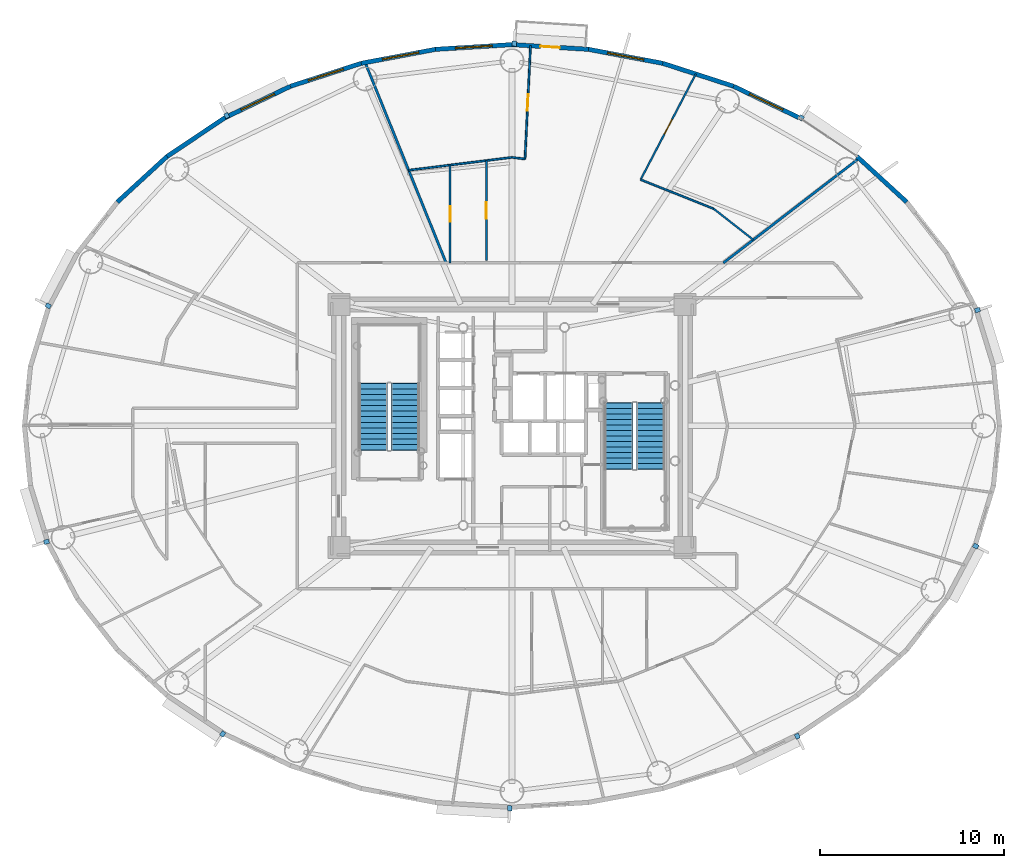
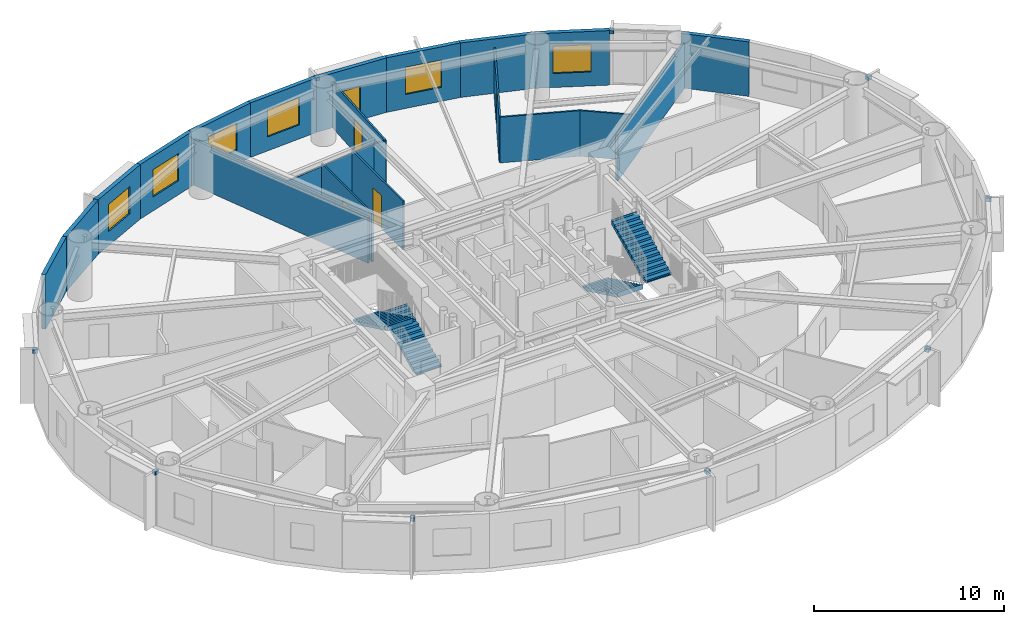
# One storey, part 11 of 18: 21 walls, 10 discrete accessories, 6 windows, 5 doors, 4 stair flights, 11 openings, 2 elements without a shape of their own.
"""IFC4 building model written with IfcOpenShell, lengths in metres."""

import ifcopenshell
import ifcopenshell.guid

model = None  # the IFC model being written
_history = None  # IfcOwnerHistory: only IFC2X3 demands one
_inside = {}  # id of a spatial element -> (the spatial element, [elements in it])
_under = {}  # id of a project, library or spatial element -> (it, [spatial elements below it])
_declared = {}  # id of a project -> (the project, [libraries it declares])
_typed = {}  # id of a type object -> (the type object, [elements of that type])
_made_of = {}  # id of a material, layer set ... -> (it, [elements and type objects made of it])


def new_model(schema):
    """Start an empty IFC model of exactly this schema.

    Asked for "IFC4X3", IfcOpenShell would pick the latest addendum, in which some entities
    have other attributes; the version numbers below select the first issue.
    IFC2X3 requires an IfcOwnerHistory on every rooted entity: one is made here for all.
    """
    global model, _history
    if schema == "IFC4X3":
        model = ifcopenshell.file(schema_version=(4, 3, 0, 0))
    else:
        model = ifcopenshell.file(schema=schema)
    _inside.clear()
    _under.clear()
    _declared.clear()
    _typed.clear()
    _made_of.clear()
    _history = None
    if model.schema == "IFC2X3":
        org = make("IfcOrganization", Name="unknown")
        user = make(
            "IfcPersonAndOrganization",
            ThePerson=make("IfcPerson", FamilyName="unknown"),
            TheOrganization=org,
        )
        app = make(
            "IfcApplication",
            ApplicationDeveloper=org,
            Version="unknown",
            ApplicationFullName="unknown",
            ApplicationIdentifier="unknown",
        )
        _history = make(
            "IfcOwnerHistory",
            OwningUser=user,
            OwningApplication=app,
            ChangeAction="ADDED",
            CreationDate=0,
        )
    return model


def make(cls, **values):
    """One entity of the class cls with the attributes given. An attribute that is None is left unset."""
    return model.create_entity(
        cls, **{name: value for name, value in values.items() if value is not None}
    )


def rooted(cls, **values):
    """An entity with a GlobalId (a new one), such as an element, a storey or a relation."""
    return make(cls, GlobalId=ifcopenshell.guid.new(), OwnerHistory=_history, **values)


def si_unit(unit_type, name, prefix=None):
    """IfcSIUnit, for example si_unit("LENGTHUNIT", "METRE", prefix="MILLI")."""
    return make("IfcSIUnit", UnitType=unit_type, Prefix=prefix, Name=name)


def assignment(units):
    """IfcUnitAssignment: the units of a project."""
    return None if units is None else make("IfcUnitAssignment", Units=units)


def point(xyz):
    """IfcCartesianPoint."""
    return None if xyz is None else make("IfcCartesianPoint", Coordinates=xyz)


def direction(xyz):
    """IfcDirection."""
    return None if xyz is None else make("IfcDirection", DirectionRatios=xyz)


def frame(location, z_axis=None, x_axis=None):
    """IfcAxis2Placement3D, a coordinate frame: its origin and axes. An axis left out is left unset."""
    return make(
        "IfcAxis2Placement3D",
        Location=point(location),
        Axis=direction(z_axis),
        RefDirection=direction(x_axis),
    )


def frame_2d(location, x_axis=None):
    """IfcAxis2Placement2D, a coordinate frame in the plane: its origin and x axis."""
    return make(
        "IfcAxis2Placement2D", Location=point(location), RefDirection=direction(x_axis)
    )


def origin():
    """The frame at (0, 0, 0) with its axes left unset."""
    return frame((0.0, 0.0, 0.0))


def origin_2d():
    """The frame at (0, 0) in the plane with its x axis left unset."""
    return frame_2d((0.0, 0.0))


def place(relative_to, where):
    """IfcLocalPlacement: puts the frame where relative to a parent placement (None: the world)."""
    return make(
        "IfcLocalPlacement", PlacementRelTo=relative_to, RelativePlacement=where
    )


def context(
    kind, dimensions, precision=None, world=None, true_north=None, identifier=None
):
    """IfcGeometricRepresentationContext, for example the 3D "Model" context."""
    return make(
        "IfcGeometricRepresentationContext",
        ContextIdentifier=identifier,
        ContextType=kind,
        CoordinateSpaceDimension=dimensions,
        Precision=precision,
        WorldCoordinateSystem=world,
        TrueNorth=true_north,
    )


def subcontext(parent, identifier, kind, view, scale=None):
    """IfcGeometricRepresentationSubContext, for example "Body" below "Model"."""
    return make(
        "IfcGeometricRepresentationSubContext",
        ContextIdentifier=identifier,
        ContextType=kind,
        ParentContext=parent,
        TargetScale=scale,
        TargetView=view,
    )


def project(units=None, contexts=None):
    """IfcProject with its units and contexts."""
    return rooted(
        "IfcProject",
        Name="project",
        RepresentationContexts=contexts,
        UnitsInContext=assignment(units),
    )


def spatial(cls, under=None, at=None, **own):
    """A site, building, storey or space (cls), placed at a placement, below another one or the project."""
    s = rooted(cls, ObjectPlacement=at, **own)
    if under is not None:
        _under.setdefault(under.id(), (under, []))[1].append(s)
    return s


def polyline(points):
    """IfcPolyline through the points."""
    return make("IfcPolyline", Points=[point(p) for p in points])


def profile(cls, at=None, kind="AREA", **sizes):
    """A parametric profile (cls). Its sizes go by their IFC names, for example OverallWidth=200.0."""
    return make(cls, ProfileType=kind, Position=at, **sizes)


def rectangle(**sizes):
    """IfcRectangleProfileDef."""
    return profile("IfcRectangleProfileDef", **sizes)


def outline(outer, holes=None, kind="AREA"):
    """IfcArbitraryClosedProfileDef: a profile drawn as a closed curve; with holes, ...WithVoids."""
    if holes is None:
        return make("IfcArbitraryClosedProfileDef", ProfileType=kind, OuterCurve=outer)
    return make(
        "IfcArbitraryProfileDefWithVoids",
        ProfileType=kind,
        OuterCurve=outer,
        InnerCurves=holes,
    )


def extrude(swept, where, along, depth):
    """IfcExtrudedAreaSolid: the profile swept, set in the frame where, extruded along a direction by depth."""
    return make(
        "IfcExtrudedAreaSolid",
        SweptArea=swept,
        Position=where,
        ExtrudedDirection=direction(along),
        Depth=depth,
    )


def shape(context_of_items, identifier, shape_type, items):
    """IfcShapeRepresentation: the items that make up one representation, for example the "Body"."""
    return make(
        "IfcShapeRepresentation",
        ContextOfItems=context_of_items,
        RepresentationIdentifier=identifier,
        RepresentationType=shape_type,
        Items=items,
    )


def source(mapping_origin, context_of_items, identifier, shape_type, items):
    """IfcRepresentationMap: a shape defined once, which mapped items show again and again."""
    return make(
        "IfcRepresentationMap",
        MappingOrigin=mapping_origin,
        MappedRepresentation=shape(context_of_items, identifier, shape_type, items),
    )


def transform(
    local_origin,
    x_axis=None,
    y_axis=None,
    z_axis=None,
    scale=None,
    scale2=None,
    scale3=None,
    uniform=True,
):
    """IfcCartesianTransformationOperator3D, or its non-uniform kind. x_axis, y_axis, z_axis: its Axis1, 2, 3."""
    if uniform:
        return make(
            "IfcCartesianTransformationOperator3D",
            Axis1=direction(x_axis),
            Axis2=direction(y_axis),
            LocalOrigin=point(local_origin),
            Scale=scale,
            Axis3=direction(z_axis),
        )
    return make(
        "IfcCartesianTransformationOperator3DnonUniform",
        Axis1=direction(x_axis),
        Axis2=direction(y_axis),
        LocalOrigin=point(local_origin),
        Scale=scale,
        Axis3=direction(z_axis),
        Scale2=scale2,
        Scale3=scale3,
    )


def mapped(mapping_source, mapping_target):
    """IfcMappedItem: shows the shape of a source again, moved by a transform."""
    return make(
        "IfcMappedItem", MappingSource=mapping_source, MappingTarget=mapping_target
    )


def material(Name=None, Category=None):
    """IfcMaterial."""
    return make("IfcMaterial", Name=Name, Category=Category)


def layer(
    of_material, thickness, ventilated=None, Name=None, Category=None, Priority=None
):
    """IfcMaterialLayer: one layer of a wall or slab, of a material (None: an air gap)."""
    return make(
        "IfcMaterialLayer",
        Material=of_material,
        LayerThickness=thickness,
        IsVentilated=ventilated,
        Name=Name,
        Category=Category,
        Priority=Priority,
    )


def layer_set(layers, Name=None):
    """IfcMaterialLayerSet."""
    return make("IfcMaterialLayerSet", MaterialLayers=layers, LayerSetName=Name)


def made_of(thing, what):
    """Note that an element or type object is made of a material, layer set ...; save() writes the relation."""
    if what is not None:
        _made_of.setdefault(what.id(), (what, []))[1].append(thing)
    return thing


def type_object(cls, material=None, **own):
    """A type object (cls), such as IfcWallType, which elements share."""
    return made_of(rooted(cls, **own), material)


def element(
    cls,
    number,
    at=None,
    inside=None,
    cuts=None,
    type_object=None,
    material=None,
    context=None,
    identifier="Body",
    shape_type=None,
    held_by="IfcProductDefinitionShape",
    body=None,
    shapes=None,
    **own,
):
    """One element of the class cls, such as IfcWall. Its Tag is "e" and its number.

    at: its placement. inside: the storey or other place that contains it. cuts: it is an
    opening in that element (IfcRelVoidsElement). A single representation is given by context,
    identifier, shape_type and body (its items); several are given by shapes. held_by: the class
    of the entity that holds the representations. save() writes the other relations.
    """
    e = rooted(cls, Tag="e%d" % number, ObjectPlacement=at, **own)
    if body is not None:
        shapes = [shape(context, identifier, shape_type, body)]
    if shapes is not None:
        e.Representation = make(held_by, Representations=shapes)
    if inside is not None:
        _inside.setdefault(inside.id(), (inside, []))[1].append(e)
    if cuts is not None:
        rooted(
            "IfcRelVoidsElement", RelatingBuildingElement=cuts, RelatedOpeningElement=e
        )
    if type_object is not None:
        _typed.setdefault(type_object.id(), (type_object, []))[1].append(e)
    return made_of(e, material)


def fill(opening, filler):
    """IfcRelFillsElement: the door or window that sits in an opening."""
    return rooted(
        "IfcRelFillsElement",
        RelatingOpeningElement=opening,
        RelatedBuildingElement=filler,
    )


def aggregate(whole, parts):
    """IfcRelAggregates: a whole, such as a stair, and the parts it consists of."""
    return rooted("IfcRelAggregates", RelatingObject=whole, RelatedObjects=parts)


def save(model, path):
    """Write the relations noted so far, then the file.

    IfcRelAggregates (storeys below a building ...), IfcRelContainedInSpatialStructure (elements
    in a storey), IfcRelDefinesByType, IfcRelAssociatesMaterial and IfcRelDeclares: one each for
    every whole, place, type object, material and project.
    """
    for whole, parts in _under.values():
        aggregate(whole, parts)
    for where, things in _inside.values():
        rooted(
            "IfcRelContainedInSpatialStructure",
            RelatedElements=things,
            RelatingStructure=where,
        )
    for kind, things in _typed.values():
        rooted("IfcRelDefinesByType", RelatedObjects=things, RelatingType=kind)
    for what, things in _made_of.values():
        rooted("IfcRelAssociatesMaterial", RelatedObjects=things, RelatingMaterial=what)
    for by, libraries in _declared.values():
        rooted("IfcRelDeclares", RelatingContext=by, RelatedDefinitions=libraries)
    model.write(path)


model = new_model("IFC4")

# Units and contexts
model_context = context("Model", 3, precision=1e-05, world=origin(), true_north=direction((0.0, 1.0)))
body_context = subcontext(model_context, "Body", "Model", "MODEL_VIEW")
ifc_project = project(units=[si_unit("LENGTHUNIT", "METRE"), si_unit("AREAUNIT", "SQUARE_METRE"), si_unit("VOLUMEUNIT", "CUBIC_METRE"), si_unit("PLANEANGLEUNIT", "RADIAN"), si_unit("MASSUNIT", "GRAM", prefix="KILO")], contexts=[model_context])

# Site, building, storey
site_placement = place(None, origin())
site = spatial("IfcSite", under=ifc_project, at=site_placement, CompositionType="ELEMENT")
building_placement = place(site_placement, origin())
building = spatial("IfcBuilding", under=site, at=building_placement, Name="Linh Dai School and Residence Tower", CompositionType="ELEMENT")
storey_placement = place(building_placement, frame((0.0, 0.0, 186.14990234375)))
storey = spatial("IfcBuildingStorey", under=building, at=storey_placement, Name="L45", CompositionType="ELEMENT", Elevation=186.14990234375)

# Wall
ifc_material_1 = material(Name="Precast Concrete B45 (C35/45)", Category="concrete")
ifc_layer_1 = layer(ifc_material_1, 0.239990234375)
ifc_layer_set_1 = layer_set([ifc_layer_1], Name="Precast Concrete B45 (C35/45)")
wall_type_1 = type_object("IfcWallType", Name="EW-TC-240", PredefinedType="SOLIDWALL", material=ifc_layer_set_1)
wall_1_placement = place(storey_placement, frame((54.73193359375, 41.630615234375, 0.0), z_axis=(0.0, 0.0, 1.0), x_axis=(0.737076565834, -0.675809245349, 0.0)))
element("IfcWall", 1, at=wall_1_placement, inside=storey, type_object=wall_type_1, Name="L45 Terracotta Exterior Wall 05", PredefinedType="SOLIDWALL", context=body_context, shape_type="SweptSolid", body=[
    extrude(rectangle(XDim=3.658203125, YDim=0.239990234375, at=frame_2d((1.8291015625, 0.0))), origin(), (0.0, 0.0, 1.0), 3.5),
])

# Wall, opening, window
wall_2_placement = place(storey_placement, frame((48.02978515625, 45.443603515625, 0.0), z_axis=(0.0, 0.0, 1.0), x_axis=(0.901564733809, -0.432644231155, 0.0)))
wall_2 = element("IfcWall", 2, at=wall_2_placement, inside=storey, type_object=wall_type_1, Name="L45 Terracotta Exterior Wall 07", PredefinedType="SOLIDWALL", context=body_context, shape_type="SweptSolid", body=[
    extrude(rectangle(XDim=3.930419921875, YDim=0.239990234375, at=frame_2d((1.96533203125, 0.0))), origin(), (0.0, 0.0, 1.0), 3.5),
])
opening_1_placement = place(wall_2_placement, frame((0.965087890625, 0.0, 0.89990234375)))
opening_1 = element("IfcOpeningElement", 3, at=opening_1_placement, cuts=wall_2, Name="Opening W1", PredefinedType="OPENING", context=body_context, shape_type="SweptSolid", body=[
    extrude(rectangle(XDim=2.0, YDim=1.75, at=origin_2d()), frame((1.0, 0.1298828125, 0.875), z_axis=(0.0, -1.0, 0.0), x_axis=(1.0, 0.0, 0.0)), (0.0, 0.0, 1.0), 0.260009765625),
])
ifc_material_2 = material(Name="Double Low-E Insulated Glazing", Category="glass")
window_type = type_object("IfcWindowType", Name="WN-RES-2000x1750", PartitioningType="DOUBLE_PANEL_VERTICAL", PredefinedType="WINDOW", material=ifc_material_2)
shared_shape_1 = source(origin(), body_context, "Body", "SweptSolid", [
    extrude(rectangle(XDim=2.0, YDim=1.75, at=origin_2d()), frame((1.0, 0.030029296875, 0.875), z_axis=(0.0, -1.0, 0.0), x_axis=(1.0, 0.0, 0.0)), (0.0, 0.0, 1.0), 0.06005859375),
])
window_1_placement = place(opening_1_placement, origin())
window_1 = element("IfcWindow", 4, at=window_1_placement, inside=storey, type_object=window_type, Name="L45 Exterior Window 07.1", OverallHeight=1.75, OverallWidth=2.0, PartitioningType="DOUBLE_PANEL_VERTICAL", PredefinedType="WINDOW", context=body_context, shape_type="MappedRepresentation", body=[
    mapped(shared_shape_1, transform((0.0, 0.0, 0.0), x_axis=(1.0, 0.0, 0.0), y_axis=(0.0, 1.0, 0.0), z_axis=(0.0, 0.0, 1.0), scale=1.0)),
])
fill(opening_1, window_1)

# Wall
wall_3_placement = place(storey_placement, frame((44.18896484375, 46.689453125, 0.0), z_axis=(0.0, 0.0, 1.0), x_axis=(0.951209870236, -0.30854462038, 0.0)))
element("IfcWall", 5, at=wall_3_placement, inside=storey, type_object=wall_type_1, Name="L45 Terracotta Exterior Wall 08", PredefinedType="SOLIDWALL", context=body_context, shape_type="SweptSolid", body=[
    extrude(rectangle(XDim=4.037841796875, YDim=0.239990234375, at=frame_2d((2.01904296875, 0.0))), origin(), (0.0, 0.0, 1.0), 3.5),
])

# Wall, opening, window
wall_4_placement = place(storey_placement, frame((40.145751953125, 47.449462890625, 0.0), z_axis=(0.0, 0.0, 1.0), x_axis=(0.982788108205, -0.184736391573, 0.0)))
wall_4 = element("IfcWall", 6, at=wall_4_placement, inside=storey, type_object=wall_type_1, Name="L45 Terracotta Exterior Wall 09", PredefinedType="SOLIDWALL", context=body_context, shape_type="SweptSolid", body=[
    extrude(rectangle(XDim=4.114013671875, YDim=0.239990234375, at=frame_2d((2.05712890625, 0.0))), origin(), (0.0, 0.0, 1.0), 3.5),
])
opening_2_placement = place(wall_4_placement, frame((1.056884765625, 0.0, 0.89990234375)))
opening_2 = element("IfcOpeningElement", 7, at=opening_2_placement, cuts=wall_4, Name="Opening W1", PredefinedType="OPENING", context=body_context, shape_type="SweptSolid", body=[
    extrude(rectangle(XDim=2.0, YDim=1.75, at=origin_2d()), frame((1.0, 0.1298828125, 0.875), z_axis=(0.0, -1.0, 0.0), x_axis=(1.0, 0.0, 0.0)), (0.0, 0.0, 1.0), 0.260009765625),
])
window_2_placement = place(opening_2_placement, origin())
window_2 = element("IfcWindow", 8, at=window_2_placement, inside=storey, type_object=window_type, Name="L45 Exterior Window 09.1", OverallHeight=1.75, OverallWidth=2.0, PartitioningType="DOUBLE_PANEL_VERTICAL", PredefinedType="WINDOW", context=body_context, shape_type="MappedRepresentation", body=[
    mapped(shared_shape_1, transform((0.0, 0.0, 0.0), x_axis=(1.0, 0.0, 0.0), y_axis=(0.0, 1.0, 0.0), z_axis=(0.0, 0.0, 1.0), scale=1.0)),
])
fill(opening_2, window_2)

# Wall, opening, door
wall_5_placement = place(storey_placement, frame((36.0, 47.705078125, 0.0), z_axis=(0.0, 0.0, 1.0), x_axis=(0.998104600619, -0.061540281305, 0.0)))
wall_5 = element("IfcWall", 9, at=wall_5_placement, inside=storey, type_object=wall_type_1, Name="L45 Terracotta Exterior Wall 10", PredefinedType="SOLIDWALL", context=body_context, shape_type="SweptSolid", body=[
    extrude(rectangle(XDim=4.153564453125, YDim=0.239990234375, at=frame_2d((2.07666015625, 0.0))), origin(), (0.0, 0.0, 1.0), 3.5),
])
opening_3_placement = place(wall_5_placement, frame((1.5517578125, 0.0, 0.0)))
opening_3 = element("IfcOpeningElement", 10, at=opening_3_placement, cuts=wall_5, Name="Opening BD1", PredefinedType="OPENING", context=body_context, shape_type="SweptSolid", body=[
    extrude(rectangle(XDim=1.050048828125, YDim=2.14990234375, at=origin_2d()), frame((0.52490234375, 0.1298828125, 1.074951171875), z_axis=(0.0, -1.0, 0.0), x_axis=(1.0, 0.0, 0.0)), (0.0, 0.0, 1.0), 0.260009765625),
])
ifc_material_3 = material(Name="Double-Glazed Balcony Door", Category="glass")
door_type_1 = type_object("IfcDoorType", Name="DR-BALC-1050x2150", OperationType="NOTDEFINED", PredefinedType="DOOR", material=ifc_material_3)
shared_shape_2 = source(origin(), body_context, "Body", "SweptSolid", [
    extrude(rectangle(XDim=1.050048828125, YDim=2.14990234375, at=origin_2d()), frame((0.52490234375, 0.02490234375, 1.074951171875), z_axis=(0.0, -1.0, 0.0), x_axis=(1.0, 0.0, 0.0)), (0.0, 0.0, 1.0), 0.050048828125),
])
door_1_placement = place(opening_3_placement, origin())
door_1 = element("IfcDoor", 11, at=door_1_placement, inside=storey, type_object=door_type_1, Name="L45 Glazed Balcony Door 10", OperationType="SINGLE_SWING_RIGHT", OverallHeight=2.14990234375, OverallWidth=1.050048828125, PredefinedType="DOOR", context=body_context, shape_type="MappedRepresentation", body=[
    mapped(shared_shape_2, transform((0.0, 0.0, 0.0), x_axis=(1.0, 0.0, 0.0), y_axis=(0.0, 1.0, 0.0), z_axis=(0.0, 0.0, 1.0), scale=1.0)),
])
fill(opening_3, door_1)

# Wall, opening, window
wall_6_placement = place(storey_placement, frame((31.854248046875, 47.449462890625, 0.0), z_axis=(0.0, 0.0, 1.0), x_axis=(0.998104600619, 0.061540281305, 0.0)))
wall_6 = element("IfcWall", 12, at=wall_6_placement, inside=storey, type_object=wall_type_1, Name="L45 Terracotta Exterior Wall 11", PredefinedType="SOLIDWALL", context=body_context, shape_type="SweptSolid", body=[
    extrude(rectangle(XDim=4.153564453125, YDim=0.239990234375, at=frame_2d((2.07666015625, 0.0))), origin(), (0.0, 0.0, 1.0), 3.5),
])
opening_4_placement = place(wall_6_placement, frame((1.076904296875, 0.0, 0.89990234375)))
opening_4 = element("IfcOpeningElement", 13, at=opening_4_placement, cuts=wall_6, Name="Opening W1", PredefinedType="OPENING", context=body_context, shape_type="SweptSolid", body=[
    extrude(rectangle(XDim=2.0, YDim=1.75, at=origin_2d()), frame((1.0, 0.1298828125, 0.875), z_axis=(0.0, -1.0, 0.0), x_axis=(1.0, 0.0, 0.0)), (0.0, 0.0, 1.0), 0.260009765625),
])
window_3_placement = place(opening_4_placement, origin())
window_3 = element("IfcWindow", 14, at=window_3_placement, inside=storey, type_object=window_type, Name="L45 Exterior Window 11.1", OverallHeight=1.75, OverallWidth=2.0, PartitioningType="DOUBLE_PANEL_VERTICAL", PredefinedType="WINDOW", context=body_context, shape_type="MappedRepresentation", body=[
    mapped(shared_shape_1, transform((0.0, 0.0, 0.0), x_axis=(1.0, 0.0, 0.0), y_axis=(0.0, 1.0, 0.0), z_axis=(0.0, 0.0, 1.0), scale=1.0)),
])
fill(opening_4, window_3)

wall_7_placement = place(storey_placement, frame((27.81103515625, 46.689453125, 0.0), z_axis=(0.0, 0.0, 1.0), x_axis=(0.982788108205, 0.184736391573, 0.0)))
wall_7 = element("IfcWall", 15, at=wall_7_placement, inside=storey, type_object=wall_type_1, Name="L45 Terracotta Exterior Wall 12", PredefinedType="SOLIDWALL", context=body_context, shape_type="SweptSolid", body=[
    extrude(rectangle(XDim=4.114013671875, YDim=0.239990234375, at=frame_2d((2.05712890625, 0.0))), origin(), (0.0, 0.0, 1.0), 3.5),
])
opening_5_placement = place(wall_7_placement, frame((1.17626953125, 0.0, 0.89990234375)))
opening_5 = element("IfcOpeningElement", 16, at=opening_5_placement, cuts=wall_7, Name="Opening W1", PredefinedType="OPENING", context=body_context, shape_type="SweptSolid", body=[
    extrude(rectangle(XDim=2.0, YDim=1.75, at=origin_2d()), frame((1.0, 0.1298828125, 0.875), z_axis=(0.0, -1.0, 0.0), x_axis=(1.0, 0.0, 0.0)), (0.0, 0.0, 1.0), 0.260009765625),
])
window_4_placement = place(opening_5_placement, origin())
window_4 = element("IfcWindow", 17, at=window_4_placement, inside=storey, type_object=window_type, Name="L45 Exterior Window 12.1", OverallHeight=1.75, OverallWidth=2.0, PartitioningType="DOUBLE_PANEL_VERTICAL", PredefinedType="WINDOW", context=body_context, shape_type="MappedRepresentation", body=[
    mapped(shared_shape_1, transform((0.0, 0.0, 0.0), x_axis=(1.0, 0.0, 0.0), y_axis=(0.0, 1.0, 0.0), z_axis=(0.0, 0.0, 1.0), scale=1.0)),
])
fill(opening_5, window_4)

wall_8_placement = place(storey_placement, frame((23.97021484375, 45.443603515625, 0.0), z_axis=(0.0, 0.0, 1.0), x_axis=(0.951209870236, 0.30854462038, 0.0)))
wall_8 = element("IfcWall", 18, at=wall_8_placement, inside=storey, type_object=wall_type_1, Name="L45 Terracotta Exterior Wall 13", PredefinedType="SOLIDWALL", context=body_context, shape_type="SweptSolid", body=[
    extrude(rectangle(XDim=4.037841796875, YDim=0.239990234375, at=frame_2d((2.01904296875, 0.0))), origin(), (0.0, 0.0, 1.0), 3.5),
])
opening_6_placement = place(wall_8_placement, frame((1.01904296875, 0.0, 0.89990234375)))
opening_6 = element("IfcOpeningElement", 19, at=opening_6_placement, cuts=wall_8, Name="Opening W1", PredefinedType="OPENING", context=body_context, shape_type="SweptSolid", body=[
    extrude(rectangle(XDim=2.0, YDim=1.75, at=origin_2d()), frame((1.0, 0.1298828125, 0.875), z_axis=(0.0, -1.0, 0.0), x_axis=(1.0, 0.0, 0.0)), (0.0, 0.0, 1.0), 0.260009765625),
])
window_5_placement = place(opening_6_placement, origin())
window_5 = element("IfcWindow", 20, at=window_5_placement, inside=storey, type_object=window_type, Name="L45 Exterior Window 13.1", OverallHeight=1.75, OverallWidth=2.0, PartitioningType="DOUBLE_PANEL_VERTICAL", PredefinedType="WINDOW", context=body_context, shape_type="MappedRepresentation", body=[
    mapped(shared_shape_1, transform((0.0, 0.0, 0.0), x_axis=(1.0, 0.0, 0.0), y_axis=(0.0, 1.0, 0.0), z_axis=(0.0, 0.0, 1.0), scale=1.0)),
])
fill(opening_6, window_5)

wall_9_placement = place(storey_placement, frame((20.4267578125, 43.7431640625, 0.0), z_axis=(0.0, 0.0, 1.0), x_axis=(0.901564733809, 0.432644231155, 0.0)))
wall_9 = element("IfcWall", 21, at=wall_9_placement, inside=storey, type_object=wall_type_1, Name="L45 Terracotta Exterior Wall 14", PredefinedType="SOLIDWALL", context=body_context, shape_type="SweptSolid", body=[
    extrude(rectangle(XDim=3.930419921875, YDim=0.239990234375, at=frame_2d((1.96533203125, 0.0))), origin(), (0.0, 0.0, 1.0), 3.5),
])
opening_7_placement = place(wall_9_placement, frame((0.96533203125, 0.0, 0.89990234375)))
opening_7 = element("IfcOpeningElement", 22, at=opening_7_placement, cuts=wall_9, Name="Opening W1", PredefinedType="OPENING", context=body_context, shape_type="SweptSolid", body=[
    extrude(rectangle(XDim=2.0, YDim=1.75, at=origin_2d()), frame((1.0, 0.1298828125, 0.875), z_axis=(0.0, -1.0, 0.0), x_axis=(1.0, 0.0, 0.0)), (0.0, 0.0, 1.0), 0.260009765625),
])
window_6_placement = place(opening_7_placement, origin())
window_6 = element("IfcWindow", 23, at=window_6_placement, inside=storey, type_object=window_type, Name="L45 Exterior Window 14.1", OverallHeight=1.75, OverallWidth=2.0, PartitioningType="DOUBLE_PANEL_VERTICAL", PredefinedType="WINDOW", context=body_context, shape_type="MappedRepresentation", body=[
    mapped(shared_shape_1, transform((0.0, 0.0, 0.0), x_axis=(1.0, 0.0, 0.0), y_axis=(0.0, 1.0, 0.0), z_axis=(0.0, 0.0, 1.0), scale=1.0)),
])
fill(opening_7, window_6)

# Walls
wall_10_placement = place(storey_placement, frame((17.26806640625, 41.630615234375, 0.0), z_axis=(0.0, 0.0, 1.0), x_axis=(0.831228998277, 0.555930168657, 0.0)))
element("IfcWall", 24, at=wall_10_placement, inside=storey, type_object=wall_type_1, Name="L45 Terracotta Exterior Wall 15", PredefinedType="SOLIDWALL", context=body_context, shape_type="SweptSolid", body=[
    extrude(rectangle(XDim=3.800048828125, YDim=0.239990234375, at=frame_2d((1.89990234375, 0.0))), origin(), (0.0, 0.0, 1.0), 3.5),
])
wall_11_placement = place(storey_placement, frame((14.57177734375, 39.158447265625, 0.0), z_axis=(0.0, 0.0, 1.0), x_axis=(0.737076565834, 0.675809245349, 0.0)))
element("IfcWall", 25, at=wall_11_placement, inside=storey, type_object=wall_type_1, Name="L45 Terracotta Exterior Wall 16", PredefinedType="SOLIDWALL", context=body_context, shape_type="SweptSolid", body=[
    extrude(rectangle(XDim=3.658203125, YDim=0.239990234375, at=frame_2d((1.8291015625, 0.0))), origin(), (0.0, 0.0, 1.0), 3.5),
])
ifc_material_4 = material(Name="Autoclaved Aerated Concrete Blockwork", Category="masonry")
ifc_layer_2 = layer(ifc_material_4, 0.135009765625)
ifc_layer_set_2 = layer_set([ifc_layer_2], Name="Autoclaved Aerated Concrete Blockwork")
wall_type_2 = type_object("IfcWallType", Name="IW-CORR-135-EI90", PredefinedType="PARTITIONING", material=ifc_layer_set_2)
wall_12_placement = place(storey_placement, frame((28.026611328125, 46.73486328125, 0.0), z_axis=(0.0, 0.0, 1.0), x_axis=(0.374604711709, -0.927184614824, 0.0)))
element("IfcWall", 26, at=wall_12_placement, inside=storey, type_object=wall_type_2, Name="L45 Interior Partition Wall 027", PredefinedType="PARTITIONING", context=body_context, shape_type="SweptSolid", body=[
    extrude(rectangle(XDim=11.739501953125, YDim=0.135009765625, at=frame_2d((5.86962890625, 0.0))), origin(), (0.0, 0.0, 1.0), 2.93505859375),
])
wall_13_placement = place(storey_placement, frame((47.47607421875, 35.85009765625, 0.0), z_axis=(0.0, 0.0, 1.0), x_axis=(0.791888091101, 0.610666235495, 0.0)))
element("IfcWall", 27, at=wall_13_placement, inside=storey, type_object=wall_type_2, Name="L45 Interior Partition Wall 083", PredefinedType="PARTITIONING", context=body_context, shape_type="SweptSolid", body=[
    extrude(rectangle(XDim=9.306396484375, YDim=0.135009765625, at=frame_2d((4.6533203125, 0.0))), origin(), (0.0, 0.0, 1.0), 2.93505859375),
])
ifc_material_5 = material(Name="Gypsum Plasterboard Acoustic Stud Partition", Category="masonry")
ifc_layer_3 = layer(ifc_material_5, 0.10009765625)
ifc_layer_set_3 = layer_set([ifc_layer_3], Name="Gypsum Plasterboard Acoustic Stud Partition")
wall_type_3 = type_object("IfcWallType", Name="IW-UNIT-100", PredefinedType="PARTITIONING", material=ifc_layer_set_3)
wall_14_placement = place(storey_placement, frame((30.389892578125, 40.88525390625, 0.0), z_axis=(0.0, 0.0, 1.0), x_axis=(0.992397005414, 0.123077957591, 0.0)))
element("IfcWall", 28, at=wall_14_placement, inside=storey, type_object=wall_type_3, Name="L45 Interior Partition Wall 029", PredefinedType="PARTITIONING", context=body_context, shape_type="SweptSolid", body=[
    extrude(rectangle(XDim=5.6533203125, YDim=0.10009765625, at=frame_2d((2.82666015625, 0.0))), origin(), (0.0, 0.0, 1.0), 2.93505859375),
])

# Wall, opening, door
wall_15_placement = place(storey_placement, frame((32.6357421875, 35.85009765625, 0.0), z_axis=(0.0, 0.0, 1.0), x_axis=(0.0, 1.0, 0.0)))
wall_15 = element("IfcWall", 29, at=wall_15_placement, inside=storey, type_object=wall_type_3, Name="L45 Interior Partition Wall 037", PredefinedType="PARTITIONING", context=body_context, shape_type="SweptSolid", body=[
    extrude(rectangle(XDim=5.313720703125, YDim=0.10009765625, at=frame_2d((2.65673828125, 0.0))), origin(), (0.0, 0.0, 1.0), 3.125),
])
opening_8_placement = place(wall_15_placement, frame((2.246826171875, 0.0, 0.0)))
opening_8 = element("IfcOpeningElement", 30, at=opening_8_placement, cuts=wall_15, Name="Opening D06", PredefinedType="OPENING", context=body_context, shape_type="SweptSolid", body=[
    extrude(rectangle(XDim=0.820068359375, YDim=2.10009765625, at=origin_2d()), frame((0.41015625, 0.06005859375, 1.050048828125), z_axis=(0.0, -1.0, 0.0), x_axis=(1.0, 0.0, 0.0)), (0.0, 0.0, 1.0), 0.1201171875),
])
ifc_material_6 = material(Name="Moisture-Resistant Timber Bathroom Door", Category="wood")
door_type_2 = type_object("IfcDoorType", Name="DR-WET-820x2100", OperationType="NOTDEFINED", PredefinedType="DOOR", material=ifc_material_6)
shared_shape_3 = source(origin(), body_context, "Body", "SweptSolid", [
    extrude(rectangle(XDim=0.820068359375, YDim=2.10009765625, at=origin_2d()), frame((0.41015625, 0.02490234375, 1.050048828125), z_axis=(0.0, -1.0, 0.0), x_axis=(1.0, 0.0, 0.0)), (0.0, 0.0, 1.0), 0.050048828125),
])
door_2_placement = place(opening_8_placement, origin())
door_2 = element("IfcDoor", 31, at=door_2_placement, inside=storey, type_object=door_type_2, Name="L45 Apartment U4503 Bathroom 1 Door", OperationType="SINGLE_SWING_LEFT", OverallHeight=2.10009765625, OverallWidth=0.820068359375, PredefinedType="DOOR", context=body_context, shape_type="MappedRepresentation", body=[
    mapped(shared_shape_3, transform((0.0, 0.0, 0.0), x_axis=(1.0, 0.0, 0.0), y_axis=(0.0, 1.0, 0.0), z_axis=(0.0, 0.0, 1.0), scale=1.0)),
])
fill(opening_8, door_2)

wall_16_placement = place(storey_placement, frame((34.61181640625, 35.992919921875, 0.0), z_axis=(0.0, 0.0, 1.0), x_axis=(0.0, 1.0, 0.0)))
wall_16 = element("IfcWall", 32, at=wall_16_placement, inside=storey, type_object=wall_type_3, Name="L45 Interior Partition Wall 040", PredefinedType="PARTITIONING", context=body_context, shape_type="SweptSolid", body=[
    extrude(rectangle(XDim=5.416015625, YDim=0.10009765625, at=frame_2d((2.7080078125, 0.0))), origin(), (0.0, 0.0, 1.0), 3.125),
])
opening_9_placement = place(wall_16_placement, frame((2.2578125, 0.0, 0.0)))
opening_9 = element("IfcOpeningElement", 33, at=opening_9_placement, cuts=wall_16, Name="Opening D05", PredefinedType="OPENING", context=body_context, shape_type="SweptSolid", body=[
    extrude(rectangle(XDim=0.89990234375, YDim=2.10009765625, at=origin_2d()), frame((0.449951171875, 0.06005859375, 1.050048828125), z_axis=(0.0, -1.0, 0.0), x_axis=(1.0, 0.0, 0.0)), (0.0, 0.0, 1.0), 0.1201171875),
])
ifc_material_7 = material(Name="Engineered Timber Internal Door", Category="wood")
door_type_3 = type_object("IfcDoorType", Name="DR-INT-900x2100", OperationType="NOTDEFINED", PredefinedType="DOOR", material=ifc_material_7)
shared_shape_4 = source(origin(), body_context, "Body", "SweptSolid", [
    extrude(rectangle(XDim=0.89990234375, YDim=2.10009765625, at=origin_2d()), frame((0.449951171875, 0.02490234375, 1.050048828125), z_axis=(0.0, -1.0, 0.0), x_axis=(1.0, 0.0, 0.0)), (0.0, 0.0, 1.0), 0.050048828125),
])
door_3_placement = place(opening_9_placement, origin())
door_3 = element("IfcDoor", 34, at=door_3_placement, inside=storey, type_object=door_type_3, Name="L45 Apartment U4503 Kitchen Door", OperationType="SINGLE_SWING_RIGHT", OverallHeight=2.10009765625, OverallWidth=0.89990234375, PredefinedType="DOOR", context=body_context, shape_type="MappedRepresentation", body=[
    mapped(shared_shape_4, transform((0.0, 0.0, 0.0), x_axis=(1.0, 0.0, 0.0), y_axis=(0.0, 1.0, 0.0), z_axis=(0.0, 0.0, 1.0), scale=1.0)),
])
fill(opening_9, door_3)

# Wall
wall_17_placement = place(storey_placement, frame((36.0, 41.5810546875, 0.0), z_axis=(0.0, 0.0, 1.0), x_axis=(0.992372675388, -0.123273975939, 0.0)))
element("IfcWall", 35, at=wall_17_placement, inside=storey, type_object=wall_type_3, Name="L45 Interior Partition Wall 055", PredefinedType="PARTITIONING", context=body_context, shape_type="SweptSolid", body=[
    extrude(rectangle(XDim=0.7109375, YDim=0.10009765625, at=frame_2d((0.35546875, 0.0))), origin(), (0.0, 0.0, 1.0), 2.93505859375),
])

# Wall, opening, door
wall_18_placement = place(storey_placement, frame((36.70556640625, 41.493408203125, 0.0), z_axis=(0.0, 0.0, 1.0), x_axis=(0.04865506791, 0.99881564083, 0.0)))
wall_18 = element("IfcWall", 36, at=wall_18_placement, inside=storey, type_object=wall_type_3, Name="L45 Interior Partition Wall 057", PredefinedType="PARTITIONING", context=body_context, shape_type="SweptSolid", body=[
    extrude(rectangle(XDim=6.161865234375, YDim=0.10009765625, at=frame_2d((3.0810546875, 0.0))), origin(), (0.0, 0.0, 1.0), 2.93505859375),
])
opening_10_placement = place(wall_18_placement, frame((2.630859375, 0.0, 0.0)))
opening_10 = element("IfcOpeningElement", 37, at=opening_10_placement, cuts=wall_18, Name="Opening D05", PredefinedType="OPENING", context=body_context, shape_type="SweptSolid", body=[
    extrude(rectangle(XDim=0.89990234375, YDim=2.10009765625, at=origin_2d()), frame((0.449951171875, 0.06005859375, 1.050048828125), z_axis=(0.0, -1.0, 0.0), x_axis=(1.0, 0.0, 0.0)), (0.0, 0.0, 1.0), 0.1201171875),
])
door_4_placement = place(opening_10_placement, origin())
door_4 = element("IfcDoor", 38, at=door_4_placement, inside=storey, type_object=door_type_3, Name="L45 Apartment U4503 Principal Bedroom 2 Door", OperationType="SINGLE_SWING_LEFT", OverallHeight=2.10009765625, OverallWidth=0.89990234375, PredefinedType="DOOR", context=body_context, shape_type="MappedRepresentation", body=[
    mapped(shared_shape_4, transform((0.0, 0.0, 0.0), x_axis=(1.0, 0.0, 0.0), y_axis=(0.0, 1.0, 0.0), z_axis=(0.0, 0.0, 1.0), scale=1.0)),
])
fill(opening_10, door_4)

wall_19_placement = place(storey_placement, frame((42.9853515625, 40.3759765625, 0.0), z_axis=(0.0, 0.0, 1.0), x_axis=(0.462895979864, 0.886412608116, 0.0)))
wall_19 = element("IfcWall", 39, at=wall_19_placement, inside=storey, type_object=wall_type_3, Name="L45 Interior Partition Wall 074", PredefinedType="PARTITIONING", context=body_context, shape_type="SweptSolid", body=[
    extrude(rectangle(XDim=6.472412109375, YDim=0.10009765625, at=frame_2d((3.236328125, 0.0))), origin(), (0.0, 0.0, 1.0), 2.93505859375),
])
opening_11_placement = place(wall_19_placement, frame((2.7861328125, 0.0, 0.0)))
opening_11 = element("IfcOpeningElement", 40, at=opening_11_placement, cuts=wall_19, Name="Opening D05", PredefinedType="OPENING", context=body_context, shape_type="SweptSolid", body=[
    extrude(rectangle(XDim=0.89990234375, YDim=2.10009765625, at=origin_2d()), frame((0.449951171875, 0.06005859375, 1.050048828125), z_axis=(0.0, -1.0, 0.0), x_axis=(1.0, 0.0, 0.0)), (0.0, 0.0, 1.0), 0.1201171875),
])
door_5_placement = place(opening_11_placement, origin())
door_5 = element("IfcDoor", 41, at=door_5_placement, inside=storey, type_object=door_type_3, Name="L45 Apartment U4503 Principal Bedroom 1 Door", OperationType="SINGLE_SWING_RIGHT", OverallHeight=2.10009765625, OverallWidth=0.89990234375, PredefinedType="DOOR", context=body_context, shape_type="MappedRepresentation", body=[
    mapped(shared_shape_4, transform((0.0, 0.0, 0.0), x_axis=(1.0, 0.0, 0.0), y_axis=(0.0, 1.0, 0.0), z_axis=(0.0, 0.0, 1.0), scale=1.0)),
])
fill(opening_11, door_5)

# Walls
wall_20_placement = place(storey_placement, frame((42.9853515625, 40.3759765625, 0.0), z_axis=(0.0, 0.0, 1.0), x_axis=(0.928808113019, -0.370561046509, 0.0)))
element("IfcWall", 42, at=wall_20_placement, inside=storey, type_object=wall_type_3, Name="L45 Interior Partition Wall 075", PredefinedType="PARTITIONING", context=body_context, shape_type="SweptSolid", body=[
    extrude(rectangle(XDim=4.2626953125, YDim=0.10009765625, at=frame_2d((2.13134765625, 0.0))), origin(), (0.0, 0.0, 1.0), 2.93505859375),
])
wall_21_placement = place(storey_placement, frame((46.944580078125, 38.79638671875, 0.0), z_axis=(0.0, 0.0, 1.0), x_axis=(0.787296465136, -0.616574631317, 0.0)))
element("IfcWall", 43, at=wall_21_placement, inside=storey, type_object=wall_type_3, Name="L45 Interior Partition Wall 082", PredefinedType="PARTITIONING", context=body_context, shape_type="SweptSolid", body=[
    extrude(rectangle(XDim=2.742919921875, YDim=0.10009765625, at=frame_2d((1.37158203125, 0.0))), origin(), (0.0, 0.0, 1.0), 2.93505859375),
])

# Stair, stair flights
ifc_material_8 = material(Name="Concrete B45 (C35/45)", Category="concrete")
stair_type = type_object("IfcStairType", Name="ST-DOG-1550-R1442", PredefinedType="HALF_TURN_STAIR", material=ifc_material_8)
stair_1_placement = place(storey_placement, origin())
stair_1 = element("IfcStair", 44, at=stair_1_placement, inside=storey, type_object=stair_type, Name="L45 Core Smokeproof Exit Stair ST1", PredefinedType="HALF_TURN_STAIR")
stair_flight_type = type_object("IfcStairFlightType", Name="STF-STR-1550-R1442", PredefinedType="STRAIGHT", material=ifc_material_8)
shared_shape_5 = source(origin(), body_context, "Body", "SweptSolid", [
    extrude(outline(polyline([(-0.02490234375, 0.0), (-0.02490234375, 0.06005859375), (0.0, 0.06005859375), (0.0, 0.144287109375), (0.300048828125, 0.144287109375), (0.300048828125, 0.28857421875), (0.60009765625, 0.28857421875), (0.60009765625, 0.4326171875), (0.89990234375, 0.4326171875), (0.89990234375, 0.576904296875), (1.199951171875, 0.576904296875), (1.199951171875, 0.72119140625), (1.5, 0.72119140625), (1.5, 0.865478515625), (1.800048828125, 0.865478515625), (1.800048828125, 1.009521484375), (2.10009765625, 1.009521484375), (2.10009765625, 1.15380859375), (2.39990234375, 1.15380859375), (2.39990234375, 1.298095703125), (2.699951171875, 1.298095703125), (2.699951171875, 1.4423828125), (3.0, 1.4423828125), (3.0, 1.58642578125), (3.300048828125, 1.58642578125), (3.300048828125, 1.730712890625), (3.60009765625, 1.730712890625), (3.60009765625, 1.875), (3.625, 1.875), (3.625, 1.564453125), (3.60009765625, 1.564453125), (0.345947265625, 0.0), (-0.02490234375, 0.0)])), frame((0.0, 0.77490234375, 0.0), z_axis=(0.0, -1.0, 0.0), x_axis=(1.0, 0.0, 0.0)), (0.0, 0.0, 1.0), 1.550048828125),
])
stair_flight_1_placement = place(storey_placement, frame((30.205078125, 25.699951171875, 0.0), z_axis=(0.0, 0.0, 1.0), x_axis=(0.0, 1.0, 0.0)))
stair_flight_1 = element("IfcStairFlight", 45, at=stair_flight_1_placement, type_object=stair_flight_type, Name="ST1 flight 1", NumberOfRisers=13, NumberOfTreads=12, PredefinedType="STRAIGHT", RiserHeight=0.144230769, TreadLength=0.3, context=body_context, shape_type="MappedRepresentation", body=[
    mapped(shared_shape_5, transform((0.0, 0.0, 0.0), x_axis=(1.0, 0.0, 0.0), y_axis=(0.0, 1.0, 0.0), z_axis=(0.0, 0.0, 1.0), scale=1.0)),
])
stair_flight_2_placement = place(storey_placement, frame((28.455078125, 29.300048828125, 1.875), z_axis=(0.0, 0.0, 1.0), x_axis=(0.0, -1.0, 0.0)))
stair_flight_2 = element("IfcStairFlight", 46, at=stair_flight_2_placement, type_object=stair_flight_type, Name="ST1 flight 2", NumberOfRisers=13, NumberOfTreads=12, PredefinedType="STRAIGHT", RiserHeight=0.144230769, TreadLength=0.3, context=body_context, shape_type="MappedRepresentation", body=[
    mapped(shared_shape_5, transform((0.0, 0.0, 0.0), x_axis=(1.0, 0.0, 0.0), y_axis=(0.0, 1.0, 0.0), z_axis=(0.0, 0.0, 1.0), scale=1.0)),
])
aggregate(stair_1, [stair_flight_1, stair_flight_2])

stair_2_placement = place(storey_placement, origin())
stair_2 = element("IfcStair", 47, at=stair_2_placement, inside=storey, type_object=stair_type, Name="L45 Core Smokeproof Exit Stair ST2", PredefinedType="HALF_TURN_STAIR")
stair_flight_3_placement = place(storey_placement, frame((41.794921875, 28.25, 0.0), z_axis=(0.0, 0.0, 1.0), x_axis=(0.0, -1.0, 0.0)))
stair_flight_3 = element("IfcStairFlight", 48, at=stair_flight_3_placement, type_object=stair_flight_type, Name="ST2 flight 1", NumberOfRisers=13, NumberOfTreads=12, PredefinedType="STRAIGHT", RiserHeight=0.144230769, TreadLength=0.3, context=body_context, shape_type="MappedRepresentation", body=[
    mapped(shared_shape_5, transform((0.0, 0.0, 0.0), x_axis=(1.0, 0.0, 0.0), y_axis=(0.0, 1.0, 0.0), z_axis=(0.0, 0.0, 1.0), scale=1.0)),
])
stair_flight_4_placement = place(storey_placement, frame((43.544921875, 24.64990234375, 1.875), z_axis=(0.0, 0.0, 1.0), x_axis=(0.0, 1.0, 0.0)))
stair_flight_4 = element("IfcStairFlight", 49, at=stair_flight_4_placement, type_object=stair_flight_type, Name="ST2 flight 2", NumberOfRisers=13, NumberOfTreads=12, PredefinedType="STRAIGHT", RiserHeight=0.144230769, TreadLength=0.3, context=body_context, shape_type="MappedRepresentation", body=[
    mapped(shared_shape_5, transform((0.0, 0.0, 0.0), x_axis=(1.0, 0.0, 0.0), y_axis=(0.0, 1.0, 0.0), z_axis=(0.0, 0.0, 1.0), scale=1.0)),
])
aggregate(stair_2, [stair_flight_3, stair_flight_4])

# Discrete accessories
ifc_material_9 = material(Name="Structural Steel S355JR", Category="steel")
discrete_accessory_type = type_object("IfcDiscreteAccessoryType", Name="ACC-BRK-S355", PredefinedType="BRACKET", material=ifc_material_9)
shared_shape_6 = source(origin(), body_context, "Body", "SweptSolid", [
    extrude(rectangle(XDim=0.280029296875, YDim=0.239990234375, at=origin_2d()), origin(), (0.0, 0.0, 1.0), 0.219970703125),
])
for number, where, z_axis, x_axis, name in (
    (50, (61.275146484375, 33.291748046875, 3.25), (0.0, 0.0, 1.0), (0.956075055167, 0.293121969301, 0.0), "L45 Facade Frame Anchor Bracket 02"),
    (51, (51.706298828125, 43.726318359375, 3.25), (0.0, 0.0, 1.0), (0.555931154932, 0.831228338651, 0.0), "L45 Facade Frame Anchor Bracket 06"),
    (52, (36.12353515625, 47.757568359375, 3.25), (0.0, 0.0, 1.0), (0.061512376467, 0.99810632076, 0.0), "L45 Facade Frame Anchor Bracket 10"),
    (53, (20.509033203125, 43.84912109375, 3.25), (0.0, 0.0, 1.0), (-0.432634701653, 0.901569306779, 0.0), "L45 Facade Frame Anchor Bracket 14"),
    (54, (10.8203125, 33.52294921875, 3.25), (0.0, 0.0, 1.0), (-0.883950726378, 0.467580060884, 0.0), "L45 Facade Frame Anchor Bracket 18"),
    (55, (10.724853515625, 20.708251953125, 3.25), (0.0, 0.0, 1.0), (-0.956075055167, -0.293121969301, 0.0), "L45 Facade Frame Anchor Bracket 22"),
    (56, (20.293701171875, 10.273681640625, 3.25), (0.0, 0.0, 1.0), (-0.555931154932, -0.831228338651, 0.0), "L45 Facade Frame Anchor Bracket 26"),
    (57, (35.87646484375, 6.242431640625, 3.25), (0.0, 0.0, 1.0), (-0.061512376467, -0.99810632076, 0.0), "L45 Facade Frame Anchor Bracket 30"),
    (58, (51.490966796875, 10.15087890625, 3.25), (0.0, 0.0, 1.0), (0.432634701653, -0.901569306779, 0.0), "L45 Facade Frame Anchor Bracket 34"),
    (59, (61.1796875, 20.47705078125, 3.25), (0.0, 0.0, 1.0), (0.883950726378, -0.467580060884, 0.0), "L45 Facade Frame Anchor Bracket 38"),
):
    element("IfcDiscreteAccessory", number, at=place(storey_placement, frame(where, z_axis=z_axis, x_axis=x_axis)), inside=storey, type_object=discrete_accessory_type, Name=name, PredefinedType="BRACKET", context=body_context, shape_type="MappedRepresentation", body=[
        mapped(shared_shape_6, transform((0.0, 0.0, 0.0), x_axis=(1.0, 0.0, 0.0), y_axis=(0.0, 1.0, 0.0), z_axis=(0.0, 0.0, 1.0), scale=1.0)),
    ])

save(model, "model.ifc")
